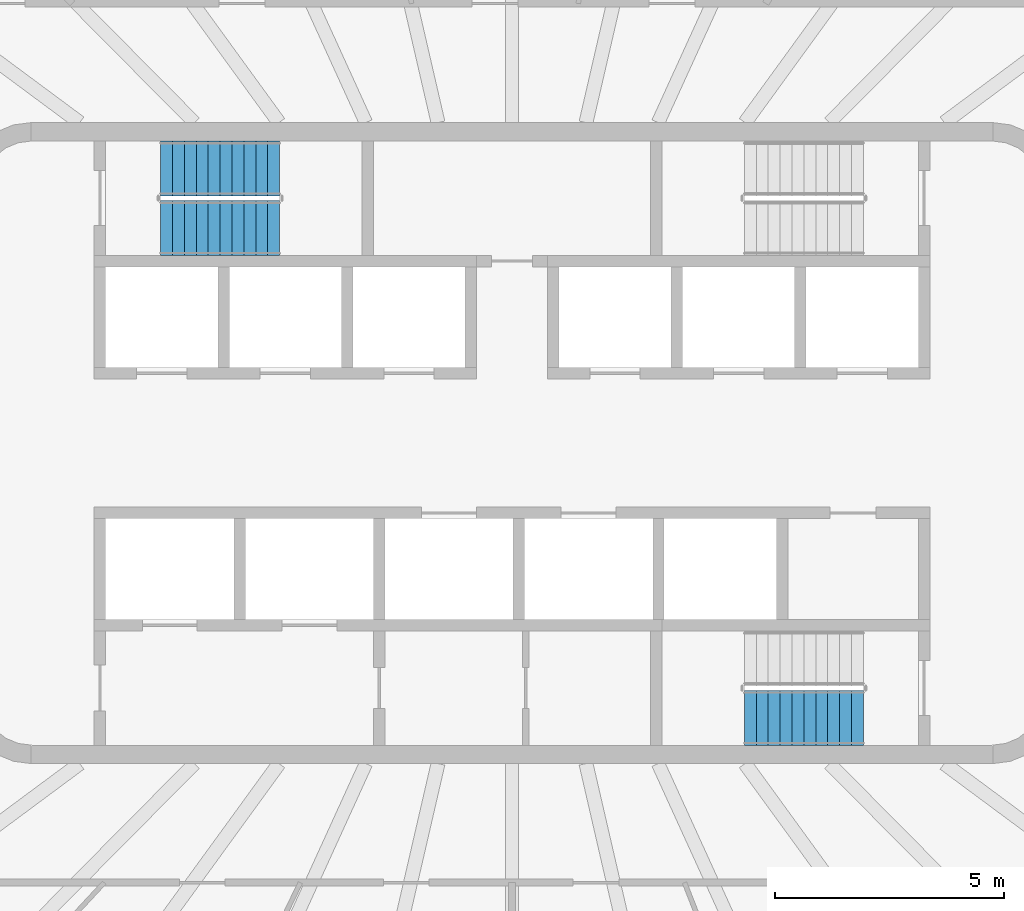
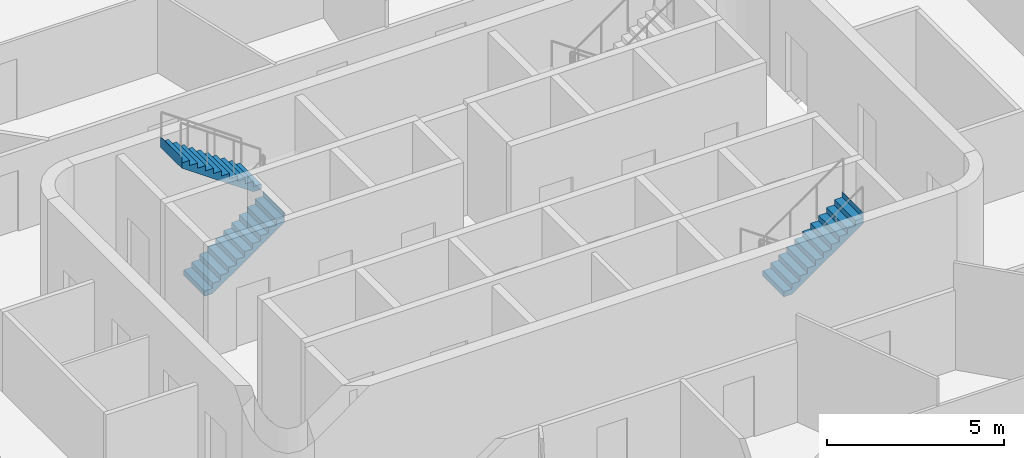
# One storey, part 13 of 20: 3 stair flights, 2 elements without a shape of their own.
"""IFC4 building model written with IfcOpenShell, lengths in metres."""

from ifc_helpers import new_model, si_unit, direction, frame, origin, place, context, subcontext, project, spatial, triangles, material, type_object, element, aggregate, save


model = new_model("IFC4")

# Units and contexts
model_context = context("Model", 3, precision=1e-05, world=origin(), true_north=direction((0.0, 1.0)))
body_context = subcontext(model_context, "Body", "Model", "MODEL_VIEW")
ifc_project = project(units=[si_unit("LENGTHUNIT", "METRE"), si_unit("AREAUNIT", "SQUARE_METRE"), si_unit("VOLUMEUNIT", "CUBIC_METRE"), si_unit("PLANEANGLEUNIT", "RADIAN"), si_unit("MASSUNIT", "GRAM", prefix="KILO")], contexts=[model_context])

# Site, building, storey
site_placement = place(None, origin())
site = spatial("IfcSite", under=ifc_project, at=site_placement, CompositionType="ELEMENT")
building_placement = place(site_placement, origin())
building = spatial("IfcBuilding", under=site, at=building_placement, Name="Sahrelin Media Tower", CompositionType="ELEMENT")
storey_placement = place(building_placement, frame((0.0, 0.0, 237.60009765625)))
storey = spatial("IfcBuildingStorey", under=building, at=storey_placement, Name="L51", CompositionType="ELEMENT", Elevation=237.60009765625)

# Stair, stair flights
ifc_material = material(Name="Concrete C40/50", Category="concrete")
stair_type = type_object("IfcStairType", Name="Exit stair 1200", PredefinedType="HALF_TURN_STAIR", material=ifc_material)
placement = place(storey_placement, origin())
stair_1 = element("IfcStair", 1, at=placement, inside=storey, type_object=stair_type, Name="L51 Exit stair ST1", PredefinedType="HALF_TURN_STAIR")
stair_flight_type = type_object("IfcStairFlightType", Name="Stair flight 1200", PredefinedType="STRAIGHT", material=ifc_material)
stair_flight_1_placement = place(storey_placement, frame((-7.675048828125, 4.699951171875, 0.0), z_axis=(0.0, 0.0, 1.0), x_axis=(1.0, 0.0, 0.0)))
stair_flight_1 = element("IfcStairFlight", 2, at=stair_flight_1_placement, type_object=stair_flight_type, Name="ST1 flight 1", NumberOfRisers=11, NumberOfTreads=10, PredefinedType="STRAIGHT", RiserHeight=0.181818182, TreadLength=0.26, context=body_context, shape_type="Tessellation", body=[
    triangles([(0.261474609375, 0.60009765625, 0.0), (0.261474609375, 0.300048828125, 0.0), (0.261474609375, 0.0, 0.0), (0.261474609375, -0.300048828125, 0.0), (0.261474609375, -0.60009765625, 0.0), (2.60009765625, 0.60009765625, 1.63525390625), (2.60009765625, 0.300048828125, 1.63525390625), (2.60009765625, 0.0, 1.63525390625), (2.60009765625, -0.300048828125, 1.63525390625), (2.60009765625, -0.60009765625, 1.63525390625), (2.60009765625, 0.60009765625, 2.0), (2.60009765625, 0.300048828125, 2.0), (2.60009765625, 0.0, 2.0), (2.60009765625, -0.300048828125, 2.0), (2.60009765625, -0.60009765625, 2.0), (2.597900390625, 0.60009765625, 2.0), (2.597900390625, 0.300048828125, 2.0), (2.597900390625, 0.0, 2.0), (2.597900390625, -0.300048828125, 2.0), (2.597900390625, -0.60009765625, 2.0), (2.597900390625, 0.60009765625, 1.818115234375), (2.597900390625, 0.300048828125, 1.818115234375), (2.597900390625, 0.0, 1.818115234375), (2.597900390625, -0.300048828125, 1.818115234375), (2.597900390625, -0.60009765625, 1.818115234375), (2.340087890625, 0.60009765625, 1.818115234375), (2.340087890625, 0.300048828125, 1.818115234375), (2.340087890625, 0.0, 1.818115234375), (2.340087890625, -0.300048828125, 1.818115234375), (2.340087890625, -0.60009765625, 1.818115234375), (2.340087890625, 0.60009765625, 1.636474609375), (2.340087890625, 0.300048828125, 1.636474609375), (2.340087890625, 0.0, 1.636474609375), (2.340087890625, -0.300048828125, 1.636474609375), (2.340087890625, -0.60009765625, 1.636474609375), (2.080078125, 0.60009765625, 1.636474609375), (2.080078125, 0.300048828125, 1.636474609375), (2.080078125, 0.0, 1.636474609375), (2.080078125, -0.300048828125, 1.636474609375), (2.080078125, -0.60009765625, 1.636474609375), (2.080078125, 0.60009765625, 1.45458984375), (2.080078125, 0.300048828125, 1.45458984375), (2.080078125, 0.0, 1.45458984375), (2.080078125, -0.300048828125, 1.45458984375), (2.080078125, -0.60009765625, 1.45458984375), (1.820068359375, 0.60009765625, 1.45458984375), (1.820068359375, 0.300048828125, 1.45458984375), (1.820068359375, 0.0, 1.45458984375), (1.820068359375, -0.300048828125, 1.45458984375), (1.820068359375, -0.60009765625, 1.45458984375), (1.820068359375, 0.60009765625, 1.272705078125), (1.820068359375, 0.300048828125, 1.272705078125), (1.820068359375, 0.0, 1.272705078125), (1.820068359375, -0.300048828125, 1.272705078125), (1.820068359375, -0.60009765625, 1.272705078125), (1.56005859375, 0.60009765625, 1.272705078125), (1.56005859375, 0.300048828125, 1.272705078125), (1.56005859375, 0.0, 1.272705078125), (1.56005859375, -0.300048828125, 1.272705078125), (1.56005859375, -0.60009765625, 1.272705078125), (1.56005859375, 0.60009765625, 1.0908203125), (1.56005859375, 0.300048828125, 1.0908203125), (1.56005859375, 0.0, 1.0908203125), (1.56005859375, -0.300048828125, 1.0908203125), (1.56005859375, -0.60009765625, 1.0908203125), (1.300048828125, 0.60009765625, 1.0908203125), (1.300048828125, 0.300048828125, 1.0908203125), (1.300048828125, 0.0, 1.0908203125), (1.300048828125, -0.300048828125, 1.0908203125), (1.300048828125, -0.60009765625, 1.0908203125), (1.300048828125, 0.60009765625, 0.9091796875), (1.300048828125, 0.300048828125, 0.9091796875), (1.300048828125, 0.0, 0.9091796875), (1.300048828125, -0.300048828125, 0.9091796875), (1.300048828125, -0.60009765625, 0.9091796875), (1.0400390625, 0.60009765625, 0.9091796875), (1.0400390625, 0.300048828125, 0.9091796875), (1.0400390625, 0.0, 0.9091796875), (1.0400390625, -0.300048828125, 0.9091796875), (1.0400390625, -0.60009765625, 0.9091796875), (1.0400390625, 0.60009765625, 0.727294921875), (1.0400390625, 0.300048828125, 0.727294921875), (1.0400390625, 0.0, 0.727294921875), (1.0400390625, -0.300048828125, 0.727294921875), (1.0400390625, -0.60009765625, 0.727294921875), (0.780029296875, 0.60009765625, 0.727294921875), (0.780029296875, 0.300048828125, 0.727294921875), (0.780029296875, 0.0, 0.727294921875), (0.780029296875, -0.300048828125, 0.727294921875), (0.780029296875, -0.60009765625, 0.727294921875), (0.780029296875, 0.60009765625, 0.54541015625), (0.780029296875, 0.300048828125, 0.54541015625), (0.780029296875, 0.0, 0.54541015625), (0.780029296875, -0.300048828125, 0.54541015625), (0.780029296875, -0.60009765625, 0.54541015625), (0.52001953125, 0.60009765625, 0.54541015625), (0.52001953125, 0.300048828125, 0.54541015625), (0.52001953125, 0.0, 0.54541015625), (0.52001953125, -0.300048828125, 0.54541015625), (0.52001953125, -0.60009765625, 0.54541015625), (0.52001953125, 0.60009765625, 0.363525390625), (0.52001953125, 0.300048828125, 0.363525390625), (0.52001953125, 0.0, 0.363525390625), (0.52001953125, -0.300048828125, 0.363525390625), (0.52001953125, -0.60009765625, 0.363525390625), (0.260009765625, 0.60009765625, 0.363525390625), (0.260009765625, 0.300048828125, 0.363525390625), (0.260009765625, 0.0, 0.363525390625), (0.260009765625, -0.300048828125, 0.363525390625), (0.260009765625, -0.60009765625, 0.363525390625), (0.260009765625, 0.60009765625, 0.181884765625), (0.260009765625, 0.300048828125, 0.181884765625), (0.260009765625, 0.0, 0.181884765625), (0.260009765625, -0.300048828125, 0.181884765625), (0.260009765625, -0.60009765625, 0.181884765625), (0.0, 0.60009765625, 0.181884765625), (0.0, 0.300048828125, 0.181884765625), (0.0, 0.0, 0.181884765625), (0.0, -0.300048828125, 0.181884765625), (0.0, -0.60009765625, 0.181884765625), (0.0, 0.60009765625, 0.0), (0.0, 0.300048828125, 0.0), (0.0, 0.0, 0.0), (0.0, -0.300048828125, 0.0), (0.0, -0.60009765625, 0.0)], [[1, 6, 7], [1, 7, 2], [2, 7, 8], [2, 8, 3], [3, 8, 9], [3, 9, 4], [4, 9, 10], [4, 10, 5], [6, 11, 12], [6, 12, 7], [7, 12, 13], [7, 13, 8], [8, 13, 14], [8, 14, 9], [9, 14, 15], [9, 15, 10], [11, 16, 17], [11, 17, 12], [12, 17, 18], [12, 18, 13], [13, 18, 19], [13, 19, 14], [14, 19, 20], [14, 20, 15], [16, 21, 22], [16, 22, 17], [17, 22, 23], [17, 23, 18], [18, 23, 24], [18, 24, 19], [19, 24, 25], [19, 25, 20], [21, 26, 27], [21, 27, 22], [22, 27, 28], [22, 28, 23], [23, 28, 29], [23, 29, 24], [24, 29, 30], [24, 30, 25], [26, 31, 32], [26, 32, 27], [27, 32, 33], [27, 33, 28], [28, 33, 34], [28, 34, 29], [29, 34, 35], [29, 35, 30], [31, 36, 37], [31, 37, 32], [32, 37, 38], [32, 38, 33], [33, 38, 39], [33, 39, 34], [34, 39, 40], [34, 40, 35], [36, 41, 42], [36, 42, 37], [37, 42, 43], [37, 43, 38], [38, 43, 44], [38, 44, 39], [39, 44, 45], [39, 45, 40], [41, 46, 47], [41, 47, 42], [42, 47, 48], [42, 48, 43], [43, 48, 49], [43, 49, 44], [44, 49, 50], [44, 50, 45], [46, 51, 52], [46, 52, 47], [47, 52, 53], [47, 53, 48], [48, 53, 54], [48, 54, 49], [49, 54, 55], [49, 55, 50], [51, 56, 57], [51, 57, 52], [52, 57, 58], [52, 58, 53], [53, 58, 59], [53, 59, 54], [54, 59, 60], [54, 60, 55], [56, 61, 62], [56, 62, 57], [57, 62, 63], [57, 63, 58], [58, 63, 64], [58, 64, 59], [59, 64, 65], [59, 65, 60], [61, 66, 67], [61, 67, 62], [62, 67, 68], [62, 68, 63], [63, 68, 69], [63, 69, 64], [64, 69, 70], [64, 70, 65], [66, 71, 72], [66, 72, 67], [67, 72, 73], [67, 73, 68], [68, 73, 74], [68, 74, 69], [69, 74, 75], [69, 75, 70], [71, 76, 77], [71, 77, 72], [72, 77, 78], [72, 78, 73], [73, 78, 79], [73, 79, 74], [74, 79, 80], [74, 80, 75], [76, 81, 82], [76, 82, 77], [77, 82, 83], [77, 83, 78], [78, 83, 84], [78, 84, 79], [79, 84, 85], [79, 85, 80], [81, 86, 87], [81, 87, 82], [82, 87, 88], [82, 88, 83], [83, 88, 89], [83, 89, 84], [84, 89, 90], [84, 90, 85], [86, 91, 92], [86, 92, 87], [87, 92, 93], [87, 93, 88], [88, 93, 94], [88, 94, 89], [89, 94, 95], [89, 95, 90], [91, 96, 97], [91, 97, 92], [92, 97, 98], [92, 98, 93], [93, 98, 99], [93, 99, 94], [94, 99, 100], [94, 100, 95], [96, 101, 102], [96, 102, 97], [97, 102, 103], [97, 103, 98], [98, 103, 104], [98, 104, 99], [99, 104, 105], [99, 105, 100], [101, 106, 107], [101, 107, 102], [102, 107, 108], [102, 108, 103], [103, 108, 109], [103, 109, 104], [104, 109, 110], [104, 110, 105], [106, 111, 112], [106, 112, 107], [107, 112, 113], [107, 113, 108], [108, 113, 114], [108, 114, 109], [109, 114, 115], [109, 115, 110], [111, 116, 117], [111, 117, 112], [112, 117, 118], [112, 118, 113], [113, 118, 119], [113, 119, 114], [114, 119, 120], [114, 120, 115], [116, 121, 122], [116, 122, 117], [117, 122, 123], [117, 123, 118], [118, 123, 124], [118, 124, 119], [119, 124, 125], [119, 125, 120], [121, 1, 2], [121, 2, 122], [122, 2, 3], [122, 3, 123], [123, 3, 4], [123, 4, 124], [124, 4, 5], [124, 5, 125], [115, 120, 125], [111, 121, 116], [115, 105, 110], [111, 106, 101], [105, 95, 100], [101, 96, 91], [95, 85, 90], [91, 86, 81], [85, 75, 80], [81, 76, 71], [75, 65, 70], [71, 66, 61], [65, 55, 60], [61, 56, 51], [55, 45, 50], [51, 46, 41], [45, 35, 40], [41, 36, 31], [35, 25, 30], [31, 26, 21], [25, 15, 20], [21, 16, 11], [125, 5, 115], [121, 111, 1], [25, 10, 15], [21, 11, 6], [105, 115, 5], [101, 1, 111], [35, 10, 25], [31, 21, 6], [95, 105, 5], [91, 1, 101], [45, 10, 35], [41, 31, 6], [85, 95, 5], [81, 1, 91], [55, 10, 45], [51, 41, 6], [75, 85, 5], [71, 1, 81], [65, 10, 55], [61, 51, 6], [5, 10, 75], [1, 71, 6], [75, 10, 65], [71, 61, 6]], closed=True),
])
stair_flight_2_placement = place(storey_placement, frame((-5.074951171875, 6.0, 2.0), z_axis=(0.0, 0.0, 1.0), x_axis=(-1.0, 0.0, 0.0)))
stair_flight_2 = element("IfcStairFlight", 3, at=stair_flight_2_placement, type_object=stair_flight_type, Name="ST1 flight 2", NumberOfRisers=11, NumberOfTreads=10, PredefinedType="STRAIGHT", RiserHeight=0.181818182, TreadLength=0.26, context=body_context, shape_type="Tessellation", body=[
    triangles([(0.261474609375, 0.60009765625, 0.0), (0.261474609375, 0.300048828125, 0.0), (0.261474609375, 0.0, 0.0), (0.261474609375, -0.300048828125, 0.0), (0.261474609375, -0.60009765625, 0.0), (2.60009765625, 0.60009765625, 1.63525390625), (2.60009765625, 0.300048828125, 1.63525390625), (2.60009765625, 0.0, 1.63525390625), (2.60009765625, -0.300048828125, 1.63525390625), (2.60009765625, -0.60009765625, 1.63525390625), (2.60009765625, 0.60009765625, 2.0), (2.60009765625, 0.300048828125, 2.0), (2.60009765625, 0.0, 2.0), (2.60009765625, -0.300048828125, 2.0), (2.60009765625, -0.60009765625, 2.0), (2.597900390625, 0.60009765625, 2.0), (2.597900390625, 0.300048828125, 2.0), (2.597900390625, 0.0, 2.0), (2.597900390625, -0.300048828125, 2.0), (2.597900390625, -0.60009765625, 2.0), (2.597900390625, 0.60009765625, 1.818115234375), (2.597900390625, 0.300048828125, 1.818115234375), (2.597900390625, 0.0, 1.818115234375), (2.597900390625, -0.300048828125, 1.818115234375), (2.597900390625, -0.60009765625, 1.818115234375), (2.340087890625, 0.60009765625, 1.818115234375), (2.340087890625, 0.300048828125, 1.818115234375), (2.340087890625, 0.0, 1.818115234375), (2.340087890625, -0.300048828125, 1.818115234375), (2.340087890625, -0.60009765625, 1.818115234375), (2.340087890625, 0.60009765625, 1.636474609375), (2.340087890625, 0.300048828125, 1.636474609375), (2.340087890625, 0.0, 1.636474609375), (2.340087890625, -0.300048828125, 1.636474609375), (2.340087890625, -0.60009765625, 1.636474609375), (2.080078125, 0.60009765625, 1.636474609375), (2.080078125, 0.300048828125, 1.636474609375), (2.080078125, 0.0, 1.636474609375), (2.080078125, -0.300048828125, 1.636474609375), (2.080078125, -0.60009765625, 1.636474609375), (2.080078125, 0.60009765625, 1.45458984375), (2.080078125, 0.300048828125, 1.45458984375), (2.080078125, 0.0, 1.45458984375), (2.080078125, -0.300048828125, 1.45458984375), (2.080078125, -0.60009765625, 1.45458984375), (1.820068359375, 0.60009765625, 1.45458984375), (1.820068359375, 0.300048828125, 1.45458984375), (1.820068359375, 0.0, 1.45458984375), (1.820068359375, -0.300048828125, 1.45458984375), (1.820068359375, -0.60009765625, 1.45458984375), (1.820068359375, 0.60009765625, 1.272705078125), (1.820068359375, 0.300048828125, 1.272705078125), (1.820068359375, 0.0, 1.272705078125), (1.820068359375, -0.300048828125, 1.272705078125), (1.820068359375, -0.60009765625, 1.272705078125), (1.56005859375, 0.60009765625, 1.272705078125), (1.56005859375, 0.300048828125, 1.272705078125), (1.56005859375, 0.0, 1.272705078125), (1.56005859375, -0.300048828125, 1.272705078125), (1.56005859375, -0.60009765625, 1.272705078125), (1.56005859375, 0.60009765625, 1.0908203125), (1.56005859375, 0.300048828125, 1.0908203125), (1.56005859375, 0.0, 1.0908203125), (1.56005859375, -0.300048828125, 1.0908203125), (1.56005859375, -0.60009765625, 1.0908203125), (1.300048828125, 0.60009765625, 1.0908203125), (1.300048828125, 0.300048828125, 1.0908203125), (1.300048828125, 0.0, 1.0908203125), (1.300048828125, -0.300048828125, 1.0908203125), (1.300048828125, -0.60009765625, 1.0908203125), (1.300048828125, 0.60009765625, 0.9091796875), (1.300048828125, 0.300048828125, 0.9091796875), (1.300048828125, 0.0, 0.9091796875), (1.300048828125, -0.300048828125, 0.9091796875), (1.300048828125, -0.60009765625, 0.9091796875), (1.0400390625, 0.60009765625, 0.9091796875), (1.0400390625, 0.300048828125, 0.9091796875), (1.0400390625, 0.0, 0.9091796875), (1.0400390625, -0.300048828125, 0.9091796875), (1.0400390625, -0.60009765625, 0.9091796875), (1.0400390625, 0.60009765625, 0.727294921875), (1.0400390625, 0.300048828125, 0.727294921875), (1.0400390625, 0.0, 0.727294921875), (1.0400390625, -0.300048828125, 0.727294921875), (1.0400390625, -0.60009765625, 0.727294921875), (0.780029296875, 0.60009765625, 0.727294921875), (0.780029296875, 0.300048828125, 0.727294921875), (0.780029296875, 0.0, 0.727294921875), (0.780029296875, -0.300048828125, 0.727294921875), (0.780029296875, -0.60009765625, 0.727294921875), (0.780029296875, 0.60009765625, 0.54541015625), (0.780029296875, 0.300048828125, 0.54541015625), (0.780029296875, 0.0, 0.54541015625), (0.780029296875, -0.300048828125, 0.54541015625), (0.780029296875, -0.60009765625, 0.54541015625), (0.52001953125, 0.60009765625, 0.54541015625), (0.52001953125, 0.300048828125, 0.54541015625), (0.52001953125, 0.0, 0.54541015625), (0.52001953125, -0.300048828125, 0.54541015625), (0.52001953125, -0.60009765625, 0.54541015625), (0.52001953125, 0.60009765625, 0.363525390625), (0.52001953125, 0.300048828125, 0.363525390625), (0.52001953125, 0.0, 0.363525390625), (0.52001953125, -0.300048828125, 0.363525390625), (0.52001953125, -0.60009765625, 0.363525390625), (0.260009765625, 0.60009765625, 0.363525390625), (0.260009765625, 0.300048828125, 0.363525390625), (0.260009765625, 0.0, 0.363525390625), (0.260009765625, -0.300048828125, 0.363525390625), (0.260009765625, -0.60009765625, 0.363525390625), (0.260009765625, 0.60009765625, 0.181884765625), (0.260009765625, 0.300048828125, 0.181884765625), (0.260009765625, 0.0, 0.181884765625), (0.260009765625, -0.300048828125, 0.181884765625), (0.260009765625, -0.60009765625, 0.181884765625), (0.0, 0.60009765625, 0.181884765625), (0.0, 0.300048828125, 0.181884765625), (0.0, 0.0, 0.181884765625), (0.0, -0.300048828125, 0.181884765625), (0.0, -0.60009765625, 0.181884765625), (0.0, 0.60009765625, 0.0), (0.0, 0.300048828125, 0.0), (0.0, 0.0, 0.0), (0.0, -0.300048828125, 0.0), (0.0, -0.60009765625, 0.0)], [[1, 6, 7], [1, 7, 2], [2, 7, 8], [2, 8, 3], [3, 8, 9], [3, 9, 4], [4, 9, 10], [4, 10, 5], [6, 11, 12], [6, 12, 7], [7, 12, 13], [7, 13, 8], [8, 13, 14], [8, 14, 9], [9, 14, 15], [9, 15, 10], [11, 16, 17], [11, 17, 12], [12, 17, 18], [12, 18, 13], [13, 18, 19], [13, 19, 14], [14, 19, 20], [14, 20, 15], [16, 21, 22], [16, 22, 17], [17, 22, 23], [17, 23, 18], [18, 23, 24], [18, 24, 19], [19, 24, 25], [19, 25, 20], [21, 26, 27], [21, 27, 22], [22, 27, 28], [22, 28, 23], [23, 28, 29], [23, 29, 24], [24, 29, 30], [24, 30, 25], [26, 31, 32], [26, 32, 27], [27, 32, 33], [27, 33, 28], [28, 33, 34], [28, 34, 29], [29, 34, 35], [29, 35, 30], [31, 36, 37], [31, 37, 32], [32, 37, 38], [32, 38, 33], [33, 38, 39], [33, 39, 34], [34, 39, 40], [34, 40, 35], [36, 41, 42], [36, 42, 37], [37, 42, 43], [37, 43, 38], [38, 43, 44], [38, 44, 39], [39, 44, 45], [39, 45, 40], [41, 46, 47], [41, 47, 42], [42, 47, 48], [42, 48, 43], [43, 48, 49], [43, 49, 44], [44, 49, 50], [44, 50, 45], [46, 51, 52], [46, 52, 47], [47, 52, 53], [47, 53, 48], [48, 53, 54], [48, 54, 49], [49, 54, 55], [49, 55, 50], [51, 56, 57], [51, 57, 52], [52, 57, 58], [52, 58, 53], [53, 58, 59], [53, 59, 54], [54, 59, 60], [54, 60, 55], [56, 61, 62], [56, 62, 57], [57, 62, 63], [57, 63, 58], [58, 63, 64], [58, 64, 59], [59, 64, 65], [59, 65, 60], [61, 66, 67], [61, 67, 62], [62, 67, 68], [62, 68, 63], [63, 68, 69], [63, 69, 64], [64, 69, 70], [64, 70, 65], [66, 71, 72], [66, 72, 67], [67, 72, 73], [67, 73, 68], [68, 73, 74], [68, 74, 69], [69, 74, 75], [69, 75, 70], [71, 76, 77], [71, 77, 72], [72, 77, 78], [72, 78, 73], [73, 78, 79], [73, 79, 74], [74, 79, 80], [74, 80, 75], [76, 81, 82], [76, 82, 77], [77, 82, 83], [77, 83, 78], [78, 83, 84], [78, 84, 79], [79, 84, 85], [79, 85, 80], [81, 86, 87], [81, 87, 82], [82, 87, 88], [82, 88, 83], [83, 88, 89], [83, 89, 84], [84, 89, 90], [84, 90, 85], [86, 91, 92], [86, 92, 87], [87, 92, 93], [87, 93, 88], [88, 93, 94], [88, 94, 89], [89, 94, 95], [89, 95, 90], [91, 96, 97], [91, 97, 92], [92, 97, 98], [92, 98, 93], [93, 98, 99], [93, 99, 94], [94, 99, 100], [94, 100, 95], [96, 101, 102], [96, 102, 97], [97, 102, 103], [97, 103, 98], [98, 103, 104], [98, 104, 99], [99, 104, 105], [99, 105, 100], [101, 106, 107], [101, 107, 102], [102, 107, 108], [102, 108, 103], [103, 108, 109], [103, 109, 104], [104, 109, 110], [104, 110, 105], [106, 111, 112], [106, 112, 107], [107, 112, 113], [107, 113, 108], [108, 113, 114], [108, 114, 109], [109, 114, 115], [109, 115, 110], [111, 116, 117], [111, 117, 112], [112, 117, 118], [112, 118, 113], [113, 118, 119], [113, 119, 114], [114, 119, 120], [114, 120, 115], [116, 121, 122], [116, 122, 117], [117, 122, 123], [117, 123, 118], [118, 123, 124], [118, 124, 119], [119, 124, 125], [119, 125, 120], [121, 1, 2], [121, 2, 122], [122, 2, 3], [122, 3, 123], [123, 3, 4], [123, 4, 124], [124, 4, 5], [124, 5, 125], [115, 120, 125], [111, 121, 116], [115, 105, 110], [111, 106, 101], [105, 95, 100], [101, 96, 91], [95, 85, 90], [91, 86, 81], [85, 75, 80], [81, 76, 71], [75, 65, 70], [71, 66, 61], [65, 55, 60], [61, 56, 51], [55, 45, 50], [51, 46, 41], [45, 35, 40], [41, 36, 31], [35, 25, 30], [31, 26, 21], [25, 15, 20], [21, 16, 11], [125, 5, 115], [121, 111, 1], [25, 10, 15], [21, 11, 6], [105, 115, 5], [101, 1, 111], [35, 10, 25], [31, 21, 6], [95, 105, 5], [91, 1, 101], [45, 10, 35], [41, 31, 6], [85, 95, 5], [81, 1, 91], [55, 10, 45], [51, 41, 6], [75, 85, 5], [71, 1, 81], [65, 10, 55], [61, 51, 6], [5, 10, 75], [1, 71, 6], [75, 10, 65], [71, 61, 6]], closed=True),
])
aggregate(stair_1, [stair_flight_1, stair_flight_2])

# Stair, stair flight
stair_2 = element("IfcStair", 4, at=placement, inside=storey, type_object=stair_type, Name="L51 Exit stair ST2", PredefinedType="HALF_TURN_STAIR")
stair_flight_3_placement = place(storey_placement, frame((5.074951171875, -6.0, 2.0), z_axis=(0.0, 0.0, 1.0), x_axis=(1.0, 0.0, 0.0)))
stair_flight_3 = element("IfcStairFlight", 5, at=stair_flight_3_placement, type_object=stair_flight_type, Name="ST2 flight 2", NumberOfRisers=11, NumberOfTreads=10, PredefinedType="STRAIGHT", RiserHeight=0.181818182, TreadLength=0.26, context=body_context, shape_type="Tessellation", body=[
    triangles([(0.261474609375, 0.60009765625, 0.0), (0.261474609375, 0.300048828125, 0.0), (0.261474609375, 0.0, 0.0), (0.261474609375, -0.300048828125, 0.0), (0.261474609375, -0.60009765625, 0.0), (2.60009765625, 0.60009765625, 1.63525390625), (2.60009765625, 0.300048828125, 1.63525390625), (2.60009765625, 0.0, 1.63525390625), (2.60009765625, -0.300048828125, 1.63525390625), (2.60009765625, -0.60009765625, 1.63525390625), (2.60009765625, 0.60009765625, 2.0), (2.60009765625, 0.300048828125, 2.0), (2.60009765625, 0.0, 2.0), (2.60009765625, -0.300048828125, 2.0), (2.60009765625, -0.60009765625, 2.0), (2.597900390625, 0.60009765625, 2.0), (2.597900390625, 0.300048828125, 2.0), (2.597900390625, 0.0, 2.0), (2.597900390625, -0.300048828125, 2.0), (2.597900390625, -0.60009765625, 2.0), (2.597900390625, 0.60009765625, 1.818115234375), (2.597900390625, 0.300048828125, 1.818115234375), (2.597900390625, 0.0, 1.818115234375), (2.597900390625, -0.300048828125, 1.818115234375), (2.597900390625, -0.60009765625, 1.818115234375), (2.340087890625, 0.60009765625, 1.818115234375), (2.340087890625, 0.300048828125, 1.818115234375), (2.340087890625, 0.0, 1.818115234375), (2.340087890625, -0.300048828125, 1.818115234375), (2.340087890625, -0.60009765625, 1.818115234375), (2.340087890625, 0.60009765625, 1.636474609375), (2.340087890625, 0.300048828125, 1.636474609375), (2.340087890625, 0.0, 1.636474609375), (2.340087890625, -0.300048828125, 1.636474609375), (2.340087890625, -0.60009765625, 1.636474609375), (2.080078125, 0.60009765625, 1.636474609375), (2.080078125, 0.300048828125, 1.636474609375), (2.080078125, 0.0, 1.636474609375), (2.080078125, -0.300048828125, 1.636474609375), (2.080078125, -0.60009765625, 1.636474609375), (2.080078125, 0.60009765625, 1.45458984375), (2.080078125, 0.300048828125, 1.45458984375), (2.080078125, 0.0, 1.45458984375), (2.080078125, -0.300048828125, 1.45458984375), (2.080078125, -0.60009765625, 1.45458984375), (1.820068359375, 0.60009765625, 1.45458984375), (1.820068359375, 0.300048828125, 1.45458984375), (1.820068359375, 0.0, 1.45458984375), (1.820068359375, -0.300048828125, 1.45458984375), (1.820068359375, -0.60009765625, 1.45458984375), (1.820068359375, 0.60009765625, 1.272705078125), (1.820068359375, 0.300048828125, 1.272705078125), (1.820068359375, 0.0, 1.272705078125), (1.820068359375, -0.300048828125, 1.272705078125), (1.820068359375, -0.60009765625, 1.272705078125), (1.56005859375, 0.60009765625, 1.272705078125), (1.56005859375, 0.300048828125, 1.272705078125), (1.56005859375, 0.0, 1.272705078125), (1.56005859375, -0.300048828125, 1.272705078125), (1.56005859375, -0.60009765625, 1.272705078125), (1.56005859375, 0.60009765625, 1.0908203125), (1.56005859375, 0.300048828125, 1.0908203125), (1.56005859375, 0.0, 1.0908203125), (1.56005859375, -0.300048828125, 1.0908203125), (1.56005859375, -0.60009765625, 1.0908203125), (1.300048828125, 0.60009765625, 1.0908203125), (1.300048828125, 0.300048828125, 1.0908203125), (1.300048828125, 0.0, 1.0908203125), (1.300048828125, -0.300048828125, 1.0908203125), (1.300048828125, -0.60009765625, 1.0908203125), (1.300048828125, 0.60009765625, 0.9091796875), (1.300048828125, 0.300048828125, 0.9091796875), (1.300048828125, 0.0, 0.9091796875), (1.300048828125, -0.300048828125, 0.9091796875), (1.300048828125, -0.60009765625, 0.9091796875), (1.0400390625, 0.60009765625, 0.9091796875), (1.0400390625, 0.300048828125, 0.9091796875), (1.0400390625, 0.0, 0.9091796875), (1.0400390625, -0.300048828125, 0.9091796875), (1.0400390625, -0.60009765625, 0.9091796875), (1.0400390625, 0.60009765625, 0.727294921875), (1.0400390625, 0.300048828125, 0.727294921875), (1.0400390625, 0.0, 0.727294921875), (1.0400390625, -0.300048828125, 0.727294921875), (1.0400390625, -0.60009765625, 0.727294921875), (0.780029296875, 0.60009765625, 0.727294921875), (0.780029296875, 0.300048828125, 0.727294921875), (0.780029296875, 0.0, 0.727294921875), (0.780029296875, -0.300048828125, 0.727294921875), (0.780029296875, -0.60009765625, 0.727294921875), (0.780029296875, 0.60009765625, 0.54541015625), (0.780029296875, 0.300048828125, 0.54541015625), (0.780029296875, 0.0, 0.54541015625), (0.780029296875, -0.300048828125, 0.54541015625), (0.780029296875, -0.60009765625, 0.54541015625), (0.52001953125, 0.60009765625, 0.54541015625), (0.52001953125, 0.300048828125, 0.54541015625), (0.52001953125, 0.0, 0.54541015625), (0.52001953125, -0.300048828125, 0.54541015625), (0.52001953125, -0.60009765625, 0.54541015625), (0.52001953125, 0.60009765625, 0.363525390625), (0.52001953125, 0.300048828125, 0.363525390625), (0.52001953125, 0.0, 0.363525390625), (0.52001953125, -0.300048828125, 0.363525390625), (0.52001953125, -0.60009765625, 0.363525390625), (0.260009765625, 0.60009765625, 0.363525390625), (0.260009765625, 0.300048828125, 0.363525390625), (0.260009765625, 0.0, 0.363525390625), (0.260009765625, -0.300048828125, 0.363525390625), (0.260009765625, -0.60009765625, 0.363525390625), (0.260009765625, 0.60009765625, 0.181884765625), (0.260009765625, 0.300048828125, 0.181884765625), (0.260009765625, 0.0, 0.181884765625), (0.260009765625, -0.300048828125, 0.181884765625), (0.260009765625, -0.60009765625, 0.181884765625), (0.0, 0.60009765625, 0.181884765625), (0.0, 0.300048828125, 0.181884765625), (0.0, 0.0, 0.181884765625), (0.0, -0.300048828125, 0.181884765625), (0.0, -0.60009765625, 0.181884765625), (0.0, 0.60009765625, 0.0), (0.0, 0.300048828125, 0.0), (0.0, 0.0, 0.0), (0.0, -0.300048828125, 0.0), (0.0, -0.60009765625, 0.0)], [[1, 6, 7], [1, 7, 2], [2, 7, 8], [2, 8, 3], [3, 8, 9], [3, 9, 4], [4, 9, 10], [4, 10, 5], [6, 11, 12], [6, 12, 7], [7, 12, 13], [7, 13, 8], [8, 13, 14], [8, 14, 9], [9, 14, 15], [9, 15, 10], [11, 16, 17], [11, 17, 12], [12, 17, 18], [12, 18, 13], [13, 18, 19], [13, 19, 14], [14, 19, 20], [14, 20, 15], [16, 21, 22], [16, 22, 17], [17, 22, 23], [17, 23, 18], [18, 23, 24], [18, 24, 19], [19, 24, 25], [19, 25, 20], [21, 26, 27], [21, 27, 22], [22, 27, 28], [22, 28, 23], [23, 28, 29], [23, 29, 24], [24, 29, 30], [24, 30, 25], [26, 31, 32], [26, 32, 27], [27, 32, 33], [27, 33, 28], [28, 33, 34], [28, 34, 29], [29, 34, 35], [29, 35, 30], [31, 36, 37], [31, 37, 32], [32, 37, 38], [32, 38, 33], [33, 38, 39], [33, 39, 34], [34, 39, 40], [34, 40, 35], [36, 41, 42], [36, 42, 37], [37, 42, 43], [37, 43, 38], [38, 43, 44], [38, 44, 39], [39, 44, 45], [39, 45, 40], [41, 46, 47], [41, 47, 42], [42, 47, 48], [42, 48, 43], [43, 48, 49], [43, 49, 44], [44, 49, 50], [44, 50, 45], [46, 51, 52], [46, 52, 47], [47, 52, 53], [47, 53, 48], [48, 53, 54], [48, 54, 49], [49, 54, 55], [49, 55, 50], [51, 56, 57], [51, 57, 52], [52, 57, 58], [52, 58, 53], [53, 58, 59], [53, 59, 54], [54, 59, 60], [54, 60, 55], [56, 61, 62], [56, 62, 57], [57, 62, 63], [57, 63, 58], [58, 63, 64], [58, 64, 59], [59, 64, 65], [59, 65, 60], [61, 66, 67], [61, 67, 62], [62, 67, 68], [62, 68, 63], [63, 68, 69], [63, 69, 64], [64, 69, 70], [64, 70, 65], [66, 71, 72], [66, 72, 67], [67, 72, 73], [67, 73, 68], [68, 73, 74], [68, 74, 69], [69, 74, 75], [69, 75, 70], [71, 76, 77], [71, 77, 72], [72, 77, 78], [72, 78, 73], [73, 78, 79], [73, 79, 74], [74, 79, 80], [74, 80, 75], [76, 81, 82], [76, 82, 77], [77, 82, 83], [77, 83, 78], [78, 83, 84], [78, 84, 79], [79, 84, 85], [79, 85, 80], [81, 86, 87], [81, 87, 82], [82, 87, 88], [82, 88, 83], [83, 88, 89], [83, 89, 84], [84, 89, 90], [84, 90, 85], [86, 91, 92], [86, 92, 87], [87, 92, 93], [87, 93, 88], [88, 93, 94], [88, 94, 89], [89, 94, 95], [89, 95, 90], [91, 96, 97], [91, 97, 92], [92, 97, 98], [92, 98, 93], [93, 98, 99], [93, 99, 94], [94, 99, 100], [94, 100, 95], [96, 101, 102], [96, 102, 97], [97, 102, 103], [97, 103, 98], [98, 103, 104], [98, 104, 99], [99, 104, 105], [99, 105, 100], [101, 106, 107], [101, 107, 102], [102, 107, 108], [102, 108, 103], [103, 108, 109], [103, 109, 104], [104, 109, 110], [104, 110, 105], [106, 111, 112], [106, 112, 107], [107, 112, 113], [107, 113, 108], [108, 113, 114], [108, 114, 109], [109, 114, 115], [109, 115, 110], [111, 116, 117], [111, 117, 112], [112, 117, 118], [112, 118, 113], [113, 118, 119], [113, 119, 114], [114, 119, 120], [114, 120, 115], [116, 121, 122], [116, 122, 117], [117, 122, 123], [117, 123, 118], [118, 123, 124], [118, 124, 119], [119, 124, 125], [119, 125, 120], [121, 1, 2], [121, 2, 122], [122, 2, 3], [122, 3, 123], [123, 3, 4], [123, 4, 124], [124, 4, 5], [124, 5, 125], [115, 120, 125], [111, 121, 116], [115, 105, 110], [111, 106, 101], [105, 95, 100], [101, 96, 91], [95, 85, 90], [91, 86, 81], [85, 75, 80], [81, 76, 71], [75, 65, 70], [71, 66, 61], [65, 55, 60], [61, 56, 51], [55, 45, 50], [51, 46, 41], [45, 35, 40], [41, 36, 31], [35, 25, 30], [31, 26, 21], [25, 15, 20], [21, 16, 11], [125, 5, 115], [121, 111, 1], [25, 10, 15], [21, 11, 6], [105, 115, 5], [101, 1, 111], [35, 10, 25], [31, 21, 6], [95, 105, 5], [91, 1, 101], [45, 10, 35], [41, 31, 6], [85, 95, 5], [81, 1, 91], [55, 10, 45], [51, 41, 6], [75, 85, 5], [71, 1, 81], [65, 10, 55], [61, 51, 6], [5, 10, 75], [1, 71, 6], [75, 10, 65], [71, 61, 6]], closed=True),
])
aggregate(stair_2, [stair_flight_3])

save(model, "model.ifc")
